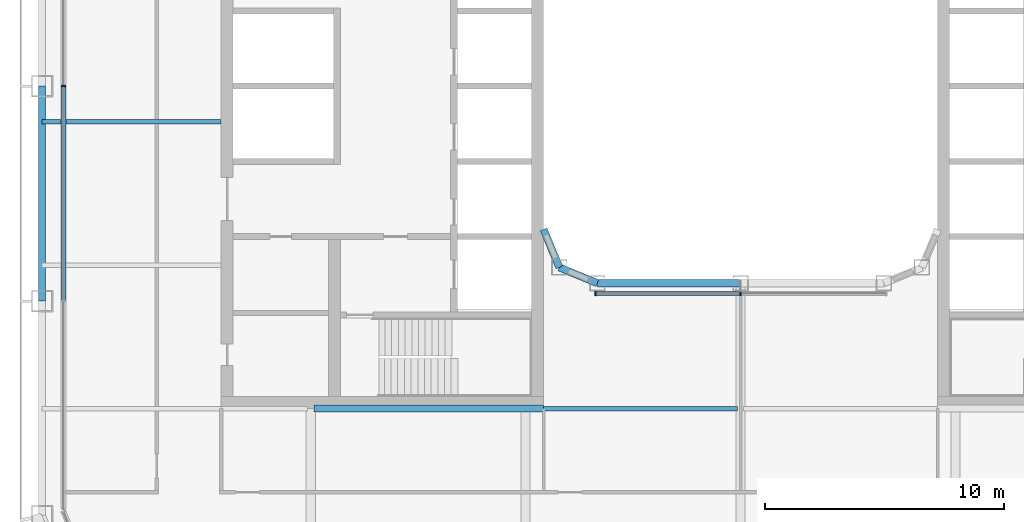
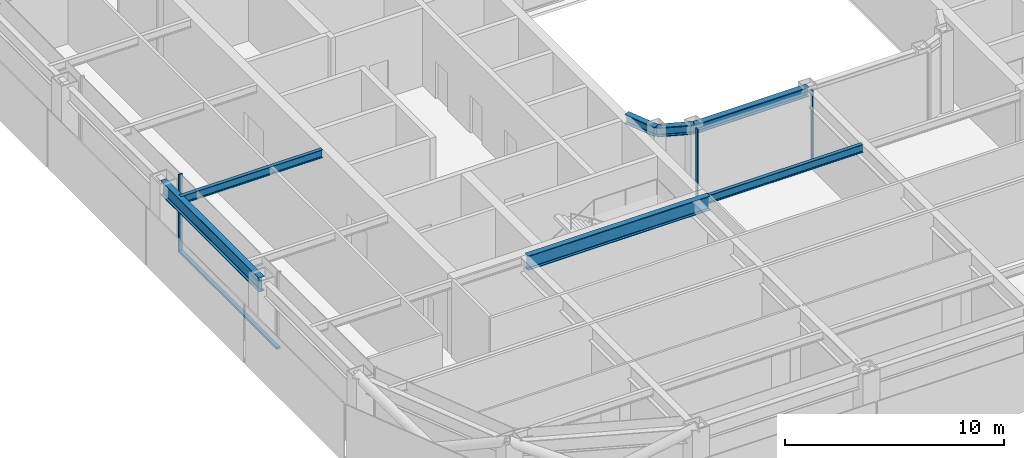
# One storey, part 3 of 24: 7 beams, 5 members, 2 elements without a shape of their own.
"""IFC4 building model written with IfcOpenShell, lengths in metres."""

from ifc_helpers import new_model, si_unit, direction, frame, origin, origin_2d, place, context, subcontext, project, spatial, rectangle, i_section, extrude, material, layer, layer_set, material_profile, profile_set, type_object, element, aggregate, save


model = new_model("IFC4")

# Units and contexts
model_context = context("Model", 3, precision=1e-05, world=origin(), true_north=direction((0.0, 1.0)))
body_context = subcontext(model_context, "Body", "Model", "MODEL_VIEW")
ifc_project = project(units=[si_unit("LENGTHUNIT", "METRE"), si_unit("AREAUNIT", "SQUARE_METRE"), si_unit("VOLUMEUNIT", "CUBIC_METRE"), si_unit("PLANEANGLEUNIT", "RADIAN"), si_unit("MASSUNIT", "GRAM", prefix="KILO")], contexts=[model_context])

# Site, building, storey
site_placement = place(None, origin())
site = spatial("IfcSite", under=ifc_project, at=site_placement, CompositionType="ELEMENT")
building_placement = place(site_placement, origin())
building = spatial("IfcBuilding", under=site, at=building_placement, Name="Siwar Civic Tower", CompositionType="ELEMENT")
storey_placement = place(building_placement, frame((0.0, 0.0, 149.699951171875)))
storey = spatial("IfcBuildingStorey", under=building, at=storey_placement, Name="L32", CompositionType="ELEMENT", Elevation=149.699951171875)

# Curtain wall, member
ifc_material_1 = material(Name="Aluminium and glass", Category="aluminium")
ifc_layer_1 = layer(ifc_material_1, 0.199951171875)
ifc_layer_set_1 = layer_set([ifc_layer_1], Name="Aluminium and glass")
curtain_wall_type_1 = type_object("IfcCurtainWallType", Name="ENV-CW-B", PredefinedType="NOTDEFINED", material=ifc_layer_set_1)
curtain_wall_1_placement = place(storey_placement, origin())
curtain_wall_1 = element("IfcCurtainWall", 1, at=curtain_wall_1_placement, inside=storey, type_object=curtain_wall_type_1, Name="Curtain wall B W", PredefinedType="NOTDEFINED")
ifc_material_2 = material(Name="Aluminium 6063-T6", Category="aluminium")
ifc_material_profile_1 = material_profile(ifc_material_2, rectangle(XDim=0.199951171875, YDim=0.06494140625, at=origin_2d()), Name="AL 200x65")
ifc_profile_set_1 = profile_set([ifc_material_profile_1], Name="Aluminium 6063-T6")
member_type_1 = type_object("IfcMemberType", Name="ENV-MULLION-B", PredefinedType="MULLION", material=ifc_profile_set_1)
member_1_placement = place(storey_placement, frame((-28.35009765625, 0.0, 0.0), z_axis=(0.0, 0.0, 1.0), x_axis=(1.0, 0.0, 0.0)))
member_1 = element("IfcMember", 2, at=member_1_placement, type_object=member_type_1, Name="Mullion B W 3", PredefinedType="MULLION", context=body_context, shape_type="SweptSolid", body=[
    extrude(rectangle(XDim=0.199951171875, YDim=0.06494140625, at=origin_2d()), origin(), (0.0, 0.0, 1.0), 4.35009765625),
])

# Curtain wall, members
ifc_material_3 = material(Name="Aluminium and glass", Category="aluminium")
ifc_layer_2 = layer(ifc_material_3, 0.179931640625)
ifc_layer_set_2 = layer_set([ifc_layer_2], Name="Aluminium and glass")
curtain_wall_type_2 = type_object("IfcCurtainWallType", Name="ENV-CW-W", PredefinedType="NOTDEFINED", material=ifc_layer_set_2)
curtain_wall_2_placement = place(storey_placement, origin())
curtain_wall_2 = element("IfcCurtainWall", 3, at=curtain_wall_2_placement, inside=storey, type_object=curtain_wall_type_2, Name="Curtain wall W WS", PredefinedType="NOTDEFINED")
ifc_material_4 = material(Name="Aluminium 6063-T6", Category="aluminium")
ifc_material_profile_2 = material_profile(ifc_material_4, rectangle(XDim=0.179931640625, YDim=0.06005859375, at=origin_2d()), Name="AL 180x60")
ifc_profile_set_2 = profile_set([ifc_material_profile_2], Name="Aluminium 6063-T6")
member_type_2 = type_object("IfcMemberType", Name="ENV-MULLION-W", PredefinedType="MULLION", material=ifc_profile_set_2)
member_2_placement = place(storey_placement, frame((-6.08642578125, -8.68505859375, 0.0), z_axis=(0.0, 0.0, 1.0), x_axis=(0.0, 1.0, 0.0)))
member_2 = element("IfcMember", 4, at=member_2_placement, type_object=member_type_2, Name="Mullion W WS 1", PredefinedType="MULLION", context=body_context, shape_type="SweptSolid", body=[
    extrude(rectangle(XDim=0.179931640625, YDim=0.06005859375, at=origin_2d()), origin(), (0.0, 0.0, 1.0), 4.35009765625),
])
member_3_placement = place(storey_placement, frame((0.0, -8.68505859375, 0.0), z_axis=(0.0, 0.0, 1.0), x_axis=(0.0, 1.0, 0.0)))
member_3 = element("IfcMember", 5, at=member_3_placement, type_object=member_type_2, Name="Mullion W WS 2", PredefinedType="MULLION", context=body_context, shape_type="SweptSolid", body=[
    extrude(rectangle(XDim=0.179931640625, YDim=0.06005859375, at=origin_2d()), origin(), (0.0, 0.0, 1.0), 4.35009765625),
])

# Member
ifc_material_5 = material(Name="Aluminium 6063-T6", Category="aluminium")
ifc_material_profile_3 = material_profile(ifc_material_5, rectangle(XDim=0.199951171875, YDim=0.110107421875, at=origin_2d()), Name="AL 200x110")
ifc_profile_set_3 = profile_set([ifc_material_profile_3], Name="Aluminium 6063-T6")
member_type_3 = type_object("IfcMemberType", Name="ENV-TRANSOM-B", PredefinedType="USERDEFINED", material=ifc_profile_set_3)
member_4_placement = place(storey_placement, frame((-28.35009765625, -0.032470703125, 0.054931640625), z_axis=(0.0, -1.0, 0.0), x_axis=(1.0, 0.0, 0.0)))
member_4 = element("IfcMember", 6, at=member_4_placement, type_object=member_type_3, Name="Transom B W 3", ObjectType="TRANSOM", PredefinedType="USERDEFINED", context=body_context, shape_type="SweptSolid", body=[
    extrude(rectangle(XDim=0.199951171875, YDim=0.110107421875, at=origin_2d()), origin(), (0.0, 0.0, 1.0), 8.93505859375),
])

aggregate(curtain_wall_1, [member_1, member_4])

ifc_material_6 = material(Name="Aluminium 6063-T6", Category="aluminium")
ifc_material_profile_4 = material_profile(ifc_material_6, rectangle(XDim=0.179931640625, YDim=0.10009765625, at=origin_2d()), Name="AL 180x100")
ifc_profile_set_4 = profile_set([ifc_material_profile_4], Name="Aluminium 6063-T6")
member_type_4 = type_object("IfcMemberType", Name="ENV-TRANSOM-W", PredefinedType="USERDEFINED", material=ifc_profile_set_4)
member_5_placement = place(storey_placement, frame((-6.056640625, -8.68505859375, 0.050048828125), z_axis=(1.0, 0.0, 0.0), x_axis=(0.0, 1.0, 0.0)))
member_5 = element("IfcMember", 7, at=member_5_placement, type_object=member_type_4, Name="Transom W WS 1", ObjectType="TRANSOM", PredefinedType="USERDEFINED", context=body_context, shape_type="SweptSolid", body=[
    extrude(rectangle(XDim=0.179931640625, YDim=0.10009765625, at=origin_2d()), origin(), (0.0, 0.0, 1.0), 6.026611328125),
])

aggregate(curtain_wall_2, [member_2, member_3, member_5])

# Beams
ifc_material_7 = material(Name="Steel S355", Category="steel")
ifc_material_profile_5 = material_profile(ifc_material_7, i_section(OverallWidth=0.18994140625, OverallDepth=0.449951171875, WebThickness=0.009521484375, FlangeThickness=0.0146484375, FilletRadius=0.02099609375, at=origin_2d()), Name="IPE450")
ifc_profile_set_5 = profile_set([ifc_material_profile_5], Name="Steel S355")
beam_type_1 = type_object("IfcBeamType", Name="STR-FB-IPE450", PredefinedType="JOIST", material=ifc_profile_set_5)
beam_1_placement = place(storey_placement, frame((-8.25, -13.5, 4.125), z_axis=(1.0, 0.0, 0.0), x_axis=(0.0, 1.0, 0.0)))
element("IfcBeam", 8, at=beam_1_placement, inside=storey, type_object=beam_type_1, Name="L32/bm/F016", PredefinedType="JOIST", context=body_context, shape_type="SweptSolid", body=[
    extrude(i_section(OverallWidth=0.18994140625, OverallDepth=0.449951171875, WebThickness=0.009521484375, FlangeThickness=0.0146484375, FilletRadius=0.02099609375, at=origin_2d()), origin(), (0.0, 0.0, 1.0), 8.1201171875),
])
beam_2_placement = place(storey_placement, frame((-29.25, -1.5, 4.125), z_axis=(1.0, 0.0, 0.0), x_axis=(0.0, 1.0, 0.0)))
element("IfcBeam", 9, at=beam_2_placement, inside=storey, type_object=beam_type_1, Name="L32/bm/F023", PredefinedType="JOIST", context=body_context, shape_type="SweptSolid", body=[
    extrude(i_section(OverallWidth=0.18994140625, OverallDepth=0.449951171875, WebThickness=0.009521484375, FlangeThickness=0.0146484375, FilletRadius=0.02099609375, at=origin_2d()), origin(), (0.0, 0.0, 1.0), 7.5),
])
ifc_material_8 = material(Name="Steel S355", Category="steel")
ifc_material_profile_6 = material_profile(ifc_material_8, i_section(OverallWidth=0.300048828125, OverallDepth=0.800048828125, WebThickness=0.017578125, FlangeThickness=0.032958984375, FilletRadius=0.030029296875, at=origin_2d()), Name="HEB800")
ifc_profile_set_6 = profile_set([ifc_material_profile_6], Name="Steel S355")
beam_type_2 = type_object("IfcBeamType", Name="STR-PG-HEB800", PredefinedType="BEAM", material=ifc_profile_set_6)
beam_3_placement = place(storey_placement, frame((-17.8701171875, -13.5, 3.949951171875), z_axis=(1.0, 0.0, 0.0), x_axis=(0.0, 1.0, 0.0)))
element("IfcBeam", 10, at=beam_3_placement, inside=storey, type_object=beam_type_2, Name="L32/bm/F015", PredefinedType="BEAM", context=body_context, shape_type="SweptSolid", body=[
    extrude(i_section(OverallWidth=0.300048828125, OverallDepth=0.800048828125, WebThickness=0.017578125, FlangeThickness=0.032958984375, FilletRadius=0.030029296875, at=origin_2d()), origin(), (0.0, 0.0, 1.0), 9.6201171875),
])
ifc_material_9 = material(Name="Steel S355", Category="steel")
ifc_material_profile_7 = material_profile(ifc_material_9, i_section(OverallWidth=0.305908203125, OverallDepth=0.52392578125, WebThickness=0.02099609375, FlangeThickness=0.0400390625, FilletRadius=0.027099609375, at=origin_2d()), Name="HEM500")
ifc_profile_set_7 = profile_set([ifc_material_profile_7], Name="Steel S355")
beam_type_3 = type_object("IfcBeamType", Name="STR-RB-HEM500", PredefinedType="BEAM", material=ifc_profile_set_7)
beam_4_placement = place(storey_placement, frame((-7.591064453125, -7.591064453125, 4.088134765625), z_axis=(0.923901072997, -0.382631424892, 0.0), x_axis=(0.382631424892, 0.923901072997, 0.0)))
element("IfcBeam", 11, at=beam_4_placement, inside=storey, type_object=beam_type_3, Name="L32/bm/RS0", PredefinedType="BEAM", context=body_context, shape_type="SweptSolid", body=[
    extrude(i_section(OverallWidth=0.305908203125, OverallDepth=0.52392578125, WebThickness=0.02099609375, FlangeThickness=0.0400390625, FilletRadius=0.027099609375, at=origin_2d()), origin(), (0.0, 0.0, 1.0), 1.72216796875),
])
beam_5_placement = place(storey_placement, frame((-6.0, -8.25, 4.088134765625), z_axis=(1.0, 0.0, 0.0), x_axis=(0.0, 1.0, 0.0)))
element("IfcBeam", 12, at=beam_5_placement, inside=storey, type_object=beam_type_3, Name="L32/bm/RS1", PredefinedType="BEAM", context=body_context, shape_type="SweptSolid", body=[
    extrude(i_section(OverallWidth=0.305908203125, OverallDepth=0.52392578125, WebThickness=0.02099609375, FlangeThickness=0.0400390625, FilletRadius=0.027099609375, at=origin_2d()), origin(), (0.0, 0.0, 1.0), 6.0),
])
beam_6_placement = place(storey_placement, frame((-7.591064453125, -7.591064453125, 4.088134765625), z_axis=(-0.382631424892, 0.923901072997, 0.0), x_axis=(-0.923901072997, -0.382631424892, 0.0)))
element("IfcBeam", 13, at=beam_6_placement, inside=storey, type_object=beam_type_3, Name="L32/bm/RSEW", PredefinedType="BEAM", context=body_context, shape_type="SweptSolid", body=[
    extrude(i_section(OverallWidth=0.305908203125, OverallDepth=0.52392578125, WebThickness=0.02099609375, FlangeThickness=0.0400390625, FilletRadius=0.027099609375, at=origin_2d()), origin(), (0.0, 0.0, 1.0), 1.72216796875),
])
ifc_material_10 = material(Name="Steel S355", Category="steel")
ifc_material_profile_8 = material_profile(ifc_material_10, i_section(OverallWidth=0.300048828125, OverallDepth=0.800048828125, WebThickness=0.017578125, FlangeThickness=0.032958984375, FilletRadius=0.030029296875, at=origin_2d()), Name="HEB800")
ifc_profile_set_8 = profile_set([ifc_material_profile_8], Name="Steel S355")
beam_type_4 = type_object("IfcBeamType", Name="STR-SB-HEB800", PredefinedType="BEAM", material=ifc_profile_set_8)
beam_7_placement = place(storey_placement, frame((-29.25, 0.0, 3.949951171875), z_axis=(0.0, -1.0, 0.0), x_axis=(1.0, 0.0, 0.0)))
element("IfcBeam", 14, at=beam_7_placement, inside=storey, type_object=beam_type_4, Name="L32/bm/SW-2", PredefinedType="BEAM", context=body_context, shape_type="SweptSolid", body=[
    extrude(i_section(OverallWidth=0.300048828125, OverallDepth=0.800048828125, WebThickness=0.017578125, FlangeThickness=0.032958984375, FilletRadius=0.030029296875, at=origin_2d()), origin(), (0.0, 0.0, 1.0), 9.0),
])

save(model, "model.ifc")
